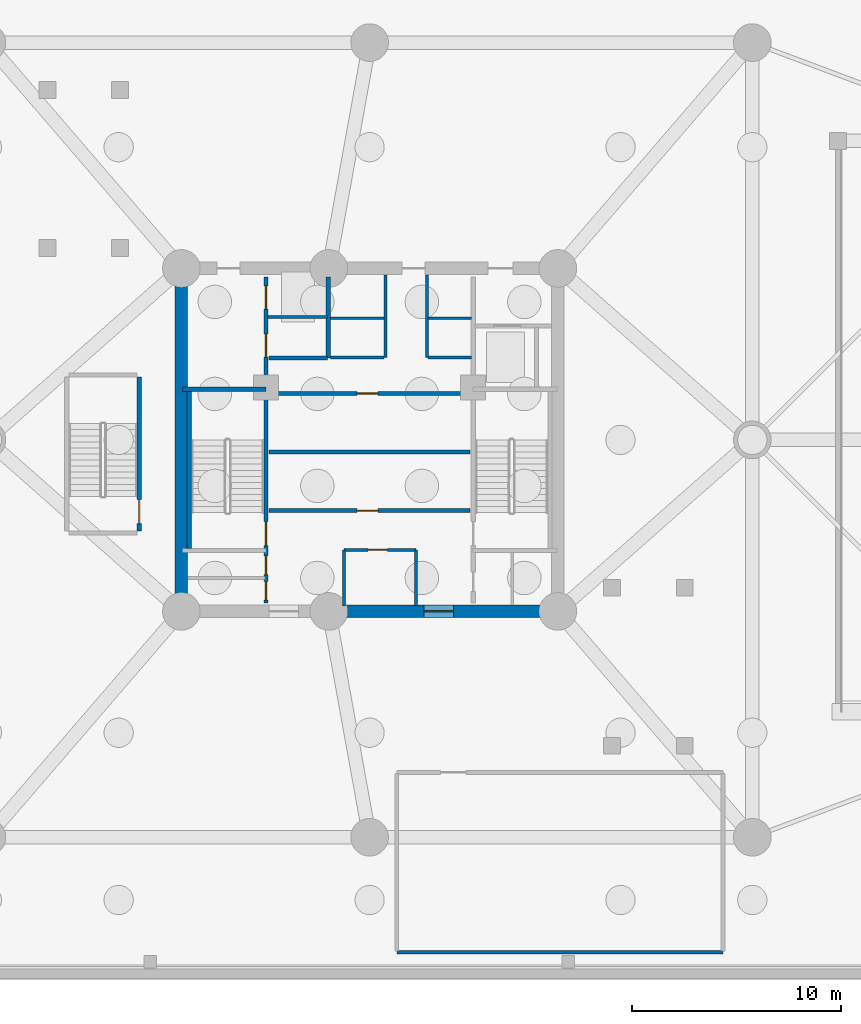
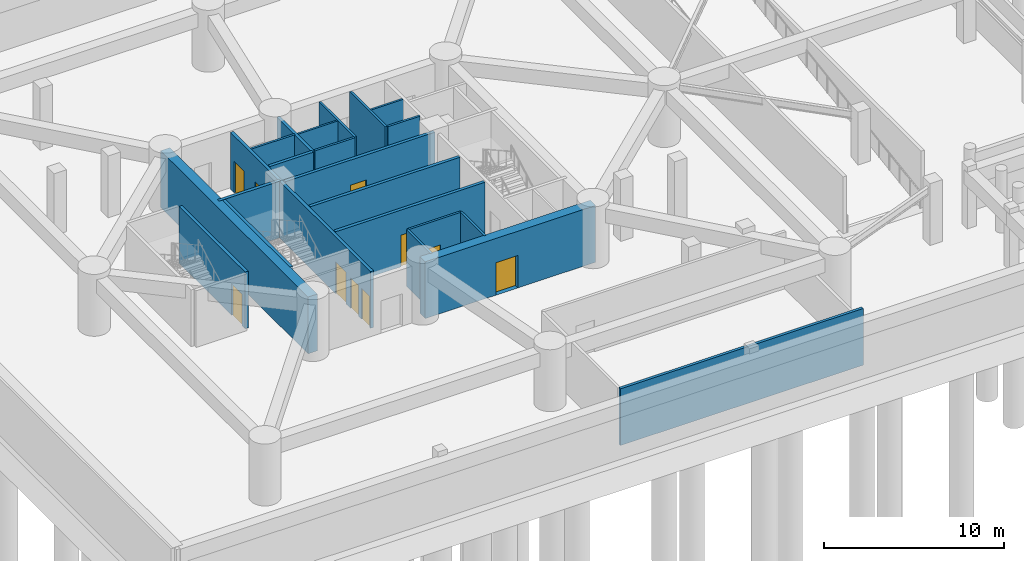
# One storey, part 4 of 13: 22 walls, 10 doors, 10 openings.
"""IFC4 building model written with IfcOpenShell, lengths in metres."""

from ifc_helpers import new_model, si_unit, direction, frame, frame_2d, origin, origin_with_axes, place, context, subcontext, project, spatial, rectangle, extrude, source, transform, mapped, material, layer, layer_set, type_object, element, fill, save


model = new_model("IFC4")

# Units and contexts
model_context = context("Model", 3, precision=1e-05, world=origin(), true_north=direction((0.0, 1.0)))
body_context = subcontext(model_context, "Body", "Model", "MODEL_VIEW")
ifc_project = project(units=[si_unit("LENGTHUNIT", "METRE"), si_unit("AREAUNIT", "SQUARE_METRE"), si_unit("VOLUMEUNIT", "CUBIC_METRE"), si_unit("PLANEANGLEUNIT", "RADIAN"), si_unit("MASSUNIT", "GRAM", prefix="KILO")], contexts=[model_context])

# Site, building, storey
site_placement = place(None, origin())
site = spatial("IfcSite", under=ifc_project, at=site_placement, CompositionType="ELEMENT")
building_placement = place(site_placement, origin())
building = spatial("IfcBuilding", under=site, at=building_placement, Name="Karkom Vertical University and Central Library", CompositionType="ELEMENT")
storey_placement = place(building_placement, frame((0.0, 0.0, -8.39990234375)))
storey = spatial("IfcBuildingStorey", under=building, at=storey_placement, Name="B02", CompositionType="ELEMENT", Elevation=-8.39990234375)

# Walls
ifc_material_1 = material(Name="Moisture-resistant drywall 120mm", Category="gypsum")
ifc_layer_1 = layer(ifc_material_1, 0.1201171875)
ifc_layer_set_1 = layer_set([ifc_layer_1], Name="Moisture-resistant drywall 120mm")
wall_type_1 = type_object("IfcWallType", Name="INT-WL-INT-120H", PredefinedType="PARTITIONING", material=ifc_layer_set_1)
wall_1_placement = place(storey_placement, frame((26.6201171875, 32.320068359375, 0.0), z_axis=(0.0, 0.0, 1.0), x_axis=(1.0, 0.0, 0.0)))
element("IfcWall", 1, at=wall_1_placement, inside=storey, type_object=wall_type_1, Name="Basement 02 Interior Partition Wall B02-CW-PH-MW", PredefinedType="PARTITIONING", context=body_context, shape_type="SweptSolid", body=[
    extrude(rectangle(XDim=2.579833984375, YDim=0.1201171875, at=frame_2d((1.2900390625, 0.0))), origin(), (0.0, 0.0, 1.0), 3.849853515625),
])
wall_2_placement = place(storey_placement, frame((31.300048828125, 32.320068359375, 0.0), z_axis=(0.0, 0.0, 1.0), x_axis=(1.0, 0.0, 0.0)))
element("IfcWall", 2, at=wall_2_placement, inside=storey, type_object=wall_type_1, Name="Basement 02 Interior Partition Wall B02-CW-PH-ME", PredefinedType="PARTITIONING", context=body_context, shape_type="SweptSolid", body=[
    extrude(rectangle(XDim=2.074951171875, YDim=0.1201171875, at=frame_2d((1.03759765625, 0.0))), origin(), (0.0, 0.0, 1.0), 3.849853515625),
])

# Wall, opening, door
ifc_material_2 = material(Name="Metal-stud gypsum partition 140mm", Category="gypsum")
ifc_layer_2 = layer(ifc_material_2, 0.139892578125)
ifc_layer_set_2 = layer_set([ifc_layer_2], Name="Metal-stud gypsum partition 140mm")
wall_type_2 = type_object("IfcWallType", Name="INT-WL-SUB-140", PredefinedType="PARTITIONING", material=ifc_layer_set_2)
wall_3_placement = place(storey_placement, frame((27.280029296875, 21.239990234375, 0.0), z_axis=(0.0, 0.0, 1.0), x_axis=(1.0, 0.0, 0.0)))
wall_3 = element("IfcWall", 3, at=wall_3_placement, inside=storey, type_object=wall_type_2, Name="Basement 02 Interior Partition Wall B02-CW-KBAY-N", PredefinedType="PARTITIONING", context=body_context, shape_type="SweptSolid", body=[
    extrude(rectangle(XDim=3.43994140625, YDim=0.139892578125, at=frame_2d((1.719970703125, 0.0))), origin(), (0.0, 0.0, 1.0), 3.849853515625),
])
opening_1_placement = place(wall_3_placement, frame((1.14990234375, 0.0, 0.0)))
opening_1 = element("IfcOpeningElement", 4, at=opening_1_placement, cuts=wall_3, Name="Opening D-SVC1", PredefinedType="OPENING", context=body_context, shape_type="SweptSolid", body=[
    extrude(rectangle(XDim=0.919921875, YDim=2.10009765625, at=frame_2d((0.4599609375, 1.050048828125))), frame((0.0, 0.080078125, 0.0), z_axis=(0.0, -1.0, 0.0), x_axis=(1.0, 0.0, 0.0)), (0.0, 0.0, 1.0), 0.159912109375),
])
ifc_material_3 = material(Name="Painted timber service door", Category="wood")
door_type_1 = type_object("IfcDoorType", Name="INT-DR-SVC1", OperationType="NOTDEFINED", PredefinedType="DOOR", material=ifc_material_3)
shared_shape_1 = source(origin_with_axes(), body_context, "Body", "SweptSolid", [
    extrude(rectangle(XDim=0.919921875, YDim=2.10009765625, at=frame_2d((0.4599609375, 1.050048828125))), frame((0.0, 0.02490234375, 0.0), z_axis=(0.0, -1.0, 0.0), x_axis=(1.0, 0.0, 0.0)), (0.0, 0.0, 1.0), 0.050048828125),
])
door_1_placement = place(opening_1_placement, origin())
door_1 = element("IfcDoor", 5, at=door_1_placement, inside=storey, type_object=door_type_1, Name="Basement 02 Comms Room Door", OperationType="SINGLE_SWING_LEFT", OverallHeight=2.10009765625, OverallWidth=0.919921875, PredefinedType="DOOR", context=body_context, shape_type="MappedRepresentation", body=[
    mapped(shared_shape_1, transform((0.0, 0.0, 0.0), scale=1.0)),
])
fill(opening_1, door_1)

# Walls
for number, where, z_axis, x_axis, name in (
    (6, (27.280029296875, 18.550048828125, 0.0), (0.0, 0.0, 1.0), (0.0, 1.0, 0.0), "Basement 02 Interior Partition Wall B02-CW-KBAY-W"),
    (7, (30.719970703125, 18.550048828125, 0.0), (0.0, 0.0, 1.0), (0.0, 1.0, 0.0), "Basement 02 Interior Partition Wall B02-CW-KBAY-E"),
):
    element("IfcWall", number, at=place(storey_placement, frame(where, z_axis=z_axis, x_axis=x_axis)), inside=storey, type_object=wall_type_2, Name=name, PredefinedType="PARTITIONING", context=body_context, shape_type="SweptSolid", body=[
        extrude(rectangle(XDim=2.68994140625, YDim=0.139892578125, at=frame_2d((1.344970703125, 0.0))), origin(), (0.0, 0.0, 1.0), 3.849853515625),
    ])
ifc_layer_3 = layer(ifc_material_2, 0.139892578125)
ifc_layer_set_3 = layer_set([ifc_layer_3], Name="Metal-stud gypsum partition 140mm")
wall_type_3 = type_object("IfcWallType", Name="INT-WL-SUB-140H", PredefinedType="PARTITIONING", material=ifc_layer_set_3)
for number, where, z_axis, x_axis, name in (
    (8, (29.260009765625, 30.449951171875, 0.0), (0.0, 0.0, 1.0), (0.0, 1.0, 0.0), "Basement 02 Interior Partition Wall B02-CW-PH-W"),
    (9, (31.239990234375, 30.449951171875, 0.0), (0.0, 0.0, 1.0), (0.0, 1.0, 0.0), "Basement 02 Interior Partition Wall B02-CW-PH-E"),
):
    element("IfcWall", number, at=place(storey_placement, frame(where, z_axis=z_axis, x_axis=x_axis)), inside=storey, type_object=wall_type_3, Name=name, PredefinedType="PARTITIONING", context=body_context, shape_type="SweptSolid", body=[
        extrude(rectangle(XDim=3.943115234375, YDim=0.139892578125, at=frame_2d((1.9716796875, 0.0))), origin(), (0.0, 0.0, 1.0), 3.849853515625),
    ])
wall_4_placement = place(storey_placement, frame((26.6201171875, 30.449951171875, 0.0), z_axis=(0.0, 0.0, 1.0), x_axis=(1.0, 0.0, 0.0)))
element("IfcWall", 10, at=wall_4_placement, inside=storey, type_object=wall_type_3, Name="Basement 02 Interior Partition Wall B02-CW-PH-S1", PredefinedType="PARTITIONING", context=body_context, shape_type="SweptSolid", body=[
    extrude(rectangle(XDim=2.579833984375, YDim=0.139892578125, at=frame_2d((1.2900390625, 0.0))), origin(), (0.0, 0.0, 1.0), 3.849853515625),
])
wall_5_placement = place(storey_placement, frame((31.300048828125, 30.449951171875, 0.0), z_axis=(0.0, 0.0, 1.0), x_axis=(1.0, 0.0, 0.0)))
element("IfcWall", 11, at=wall_5_placement, inside=storey, type_object=wall_type_3, Name="Basement 02 Interior Partition Wall B02-CW-PH-S2", PredefinedType="PARTITIONING", context=body_context, shape_type="SweptSolid", body=[
    extrude(rectangle(XDim=2.074951171875, YDim=0.139892578125, at=frame_2d((1.03759765625, 0.0))), origin(), (0.0, 0.0, 1.0), 3.849853515625),
])
ifc_layer_4 = layer(ifc_material_2, 0.139892578125)
ifc_layer_set_4 = layer_set([ifc_layer_4], Name="Metal-stud gypsum partition 140mm")
wall_type_4 = type_object("IfcWallType", Name="INT-WL-SUB-140X", PredefinedType="PARTITIONING", material=ifc_layer_set_4)
wall_6_placement = place(storey_placement, frame((23.652099609375, 32.3701171875, 0.0), z_axis=(0.0, 0.0, 1.0), x_axis=(1.0, 0.0, 0.0)))
element("IfcWall", 12, at=wall_6_placement, inside=storey, type_object=wall_type_4, Name="Basement 02 Interior Partition Wall B02-CW-FFL-M", PredefinedType="PARTITIONING", context=body_context, shape_type="SweptSolid", body=[
    extrude(rectangle(XDim=2.827880859375, YDim=0.139892578125, at=frame_2d((1.4140625, 0.0))), origin(), (0.0, 0.0, 1.0), 3.849853515625),
])
ifc_material_4 = material(Name="Twin-stud acoustic drywall 180mm", Category="gypsum")
ifc_layer_5 = layer(ifc_material_4, 0.179931640625)
ifc_layer_set_5 = layer_set([ifc_layer_5], Name="Twin-stud acoustic drywall 180mm")
wall_type_5 = type_object("IfcWallType", Name="INT-WL-TEN-180F", PredefinedType="PARTITIONING", material=ifc_layer_set_5)
wall_7_placement = place(storey_placement, frame((29.800048828125, 2.0, 0.0), z_axis=(0.0, 0.0, 1.0), x_axis=(1.0, 0.0, 0.0)))
element("IfcWall", 13, at=wall_7_placement, inside=storey, type_object=wall_type_5, Name="Basement 02 Interior Partition Wall B02-PW-PLTW-S", PredefinedType="PARTITIONING", context=body_context, shape_type="SweptSolid", body=[
    extrude(rectangle(XDim=15.599853515625, YDim=0.179931640625, at=frame_2d((7.7998046875, 0.0))), origin(), (0.0, 0.0, 1.0), 3.849853515625),
])

# Wall, opening, door
ifc_material_5 = material(Name="Concrete C50/60", Category="concrete")
ifc_layer_6 = layer(ifc_material_5, 0.60009765625)
ifc_layer_set_6 = layer_set([ifc_layer_6], Name="Concrete C50/60")
wall_type_6 = type_object("IfcWallType", Name="STR-WL-CW-600", PredefinedType="SHEAR", material=ifc_layer_set_6)
wall_8_placement = place(storey_placement, frame((26.550048828125, 18.300048828125, 0.0), z_axis=(0.0, 0.0, 1.0), x_axis=(1.0, 0.0, 0.0)))
wall_8 = element("IfcWall", 14, at=wall_8_placement, inside=storey, type_object=wall_type_6, Name="Basement 02 Central Core Shear Wall SW2", PredefinedType="SHEAR", context=body_context, shape_type="SweptSolid", body=[
    extrude(rectangle(XDim=10.949951171875, YDim=0.60009765625, at=frame_2d((5.47509765625, 0.0))), origin(), (0.0, 0.0, 1.0), 3.849853515625),
])
opening_2_placement = place(wall_8_placement, frame((4.550048828125, 0.0, 0.0)))
opening_2 = element("IfcOpeningElement", 15, at=opening_2_placement, cuts=wall_8, Name="Opening FD-CLB", PredefinedType="OPENING", context=body_context, shape_type="SweptSolid", body=[
    extrude(rectangle(XDim=1.39990234375, YDim=2.199951171875, at=frame_2d((0.699951171875, 1.10009765625))), frame((0.0, 0.31005859375, 0.0), z_axis=(0.0, -1.0, 0.0), x_axis=(1.0, 0.0, 0.0)), (0.0, 0.0, 1.0), 0.6201171875),
])
ifc_material_6 = material(Name="Painted steel fire door", Category="steel")
door_type_2 = type_object("IfcDoorType", Name="INT-DR-CLB", OperationType="DOUBLE_DOOR_SINGLE_SWING", PredefinedType="DOOR", material=ifc_material_6)
shared_shape_2 = source(origin_with_axes(), body_context, "Body", "SweptSolid", [
    extrude(rectangle(XDim=1.39990234375, YDim=2.199951171875, at=frame_2d((0.699951171875, 1.10009765625))), frame((0.0, 0.02490234375, 0.0), z_axis=(0.0, -1.0, 0.0), x_axis=(1.0, 0.0, 0.0)), (0.0, 0.0, 1.0), 0.050048828125),
])
door_2_placement = place(opening_2_placement, origin())
door_2 = element("IfcDoor", 16, at=door_2_placement, inside=storey, type_object=door_type_2, Name="Basement 02 South Core Lobby East Exit Door", OperationType="DOUBLE_DOOR_SINGLE_SWING", OverallHeight=2.199951171875, OverallWidth=1.39990234375, PredefinedType="DOOR", context=body_context, shape_type="MappedRepresentation", body=[
    mapped(shared_shape_2, transform((0.0, 0.0, 0.0), scale=1.0)),
])
fill(opening_2, door_2)

# Wall
wall_9_placement = place(storey_placement, frame((19.5, 34.699951171875, 0.0), z_axis=(0.0, 0.0, 1.0), x_axis=(0.0, -1.0, 0.0)))
element("IfcWall", 17, at=wall_9_placement, inside=storey, type_object=wall_type_6, Name="Basement 02 Central Core Shear Wall WW", PredefinedType="SHEAR", context=body_context, shape_type="SweptSolid", body=[
    extrude(rectangle(XDim=16.39990234375, YDim=0.60009765625, at=frame_2d((8.199951171875, 0.0))), origin(), (0.0, 0.0, 1.0), 3.849853515625),
])

# Wall, openings, doors
ifc_material_7 = material(Name="Concrete C45/55", Category="concrete")
ifc_layer_7 = layer(ifc_material_7, 0.199951171875)
ifc_layer_set_7 = layer_set([ifc_layer_7], Name="Concrete C45/55")
wall_type_7 = type_object("IfcWallType", Name="STR-WL-ST-200", PredefinedType="SHEAR", material=ifc_layer_set_7)
wall_10_placement = place(storey_placement, frame((23.544921875, 18.699951171875, 0.0), z_axis=(0.0, 0.0, 1.0), x_axis=(0.0, 1.0, 0.0)))
wall_10 = element("IfcWall", 18, at=wall_10_placement, inside=storey, type_object=wall_type_7, Name="Basement 02 Core Shaft Wall B02-CW-ST1-E", PredefinedType="SHEAR", context=body_context, shape_type="SweptSolid", body=[
    extrude(rectangle(XDim=15.60009765625, YDim=0.199951171875, at=frame_2d((7.800048828125, 0.0))), origin(), (0.0, 0.0, 1.0), 3.849853515625),
])
opening_3_placement = place(wall_10_placement, frame((2.75, 0.0, 0.0)))
opening_3 = element("IfcOpeningElement", 19, at=opening_3_placement, cuts=wall_10, Name="Opening FD-ST1", PredefinedType="OPENING", context=body_context, shape_type="SweptSolid", body=[
    extrude(rectangle(XDim=1.14990234375, YDim=2.14990234375, at=frame_2d((0.574951171875, 1.074951171875))), frame((0.0, 0.10986328125, 0.0), z_axis=(0.0, -1.0, 0.0), x_axis=(1.0, 0.0, 0.0)), (0.0, 0.0, 1.0), 0.219970703125),
])
opening_4_placement = place(wall_10_placement, frame((11.760009765625, 0.0, 0.0)))
opening_4 = element("IfcOpeningElement", 20, at=opening_4_placement, cuts=wall_10, Name="Opening FD-FFL", PredefinedType="OPENING", context=body_context, shape_type="SweptSolid", body=[
    extrude(rectangle(XDim=1.10009765625, YDim=2.14990234375, at=frame_2d((0.550048828125, 1.074951171875))), frame((0.0, 0.10986328125, 0.0), z_axis=(0.0, -1.0, 0.0), x_axis=(1.0, 0.0, 0.0)), (0.0, 0.0, 1.0), 0.219970703125),
])
opening_5_placement = place(wall_10_placement, frame((0.139892578125, 0.0, 0.0)))
opening_5 = element("IfcOpeningElement", 21, at=opening_5_placement, cuts=wall_10, Name="Opening FD-RIS", PredefinedType="OPENING", context=body_context, shape_type="SweptSolid", body=[
    extrude(rectangle(XDim=0.8798828125, YDim=2.10009765625, at=frame_2d((0.43994140625, 1.050048828125))), frame((0.0, 0.10986328125, 0.0), z_axis=(0.0, -1.0, 0.0), x_axis=(1.0, 0.0, 0.0)), (0.0, 0.0, 1.0), 0.219970703125),
])
opening_6_placement = place(wall_10_placement, frame((1.360107421875, 0.0, 0.0)))
opening_6 = element("IfcOpeningElement", 22, at=opening_6_placement, cuts=wall_10, Name="Opening FD-RIS", PredefinedType="OPENING", context=body_context, shape_type="SweptSolid", body=[
    extrude(rectangle(XDim=0.8798828125, YDim=2.10009765625, at=frame_2d((0.43994140625, 1.050048828125))), frame((0.0, 0.10986328125, 0.0), z_axis=(0.0, -1.0, 0.0), x_axis=(1.0, 0.0, 0.0)), (0.0, 0.0, 1.0), 0.219970703125),
])
opening_7_placement = place(wall_10_placement, frame((14.050048828125, 0.0, 0.0)))
opening_7 = element("IfcOpeningElement", 23, at=opening_7_placement, cuts=wall_10, Name="Opening LD-FFL", PredefinedType="OPENING", context=body_context, shape_type="SweptSolid", body=[
    extrude(rectangle(XDim=1.1201171875, YDim=2.14990234375, at=frame_2d((0.56005859375, 1.074951171875))), frame((0.0, 0.10986328125, 0.0), z_axis=(0.0, -1.0, 0.0), x_axis=(1.0, 0.0, 0.0)), (0.0, 0.0, 1.0), 0.219970703125),
])
ifc_material_8 = material(Name="Painted steel acoustic fire door", Category="steel")
door_type_3 = type_object("IfcDoorType", Name="INT-DR-ST1", OperationType="NOTDEFINED", PredefinedType="DOOR", material=ifc_material_8)
shared_shape_3 = source(origin_with_axes(), body_context, "Body", "SweptSolid", [
    extrude(rectangle(XDim=1.14990234375, YDim=2.14990234375, at=frame_2d((0.574951171875, 1.074951171875))), frame((0.0, 0.02490234375, 0.0), z_axis=(0.0, -1.0, 0.0), x_axis=(1.0, 0.0, 0.0)), (0.0, 0.0, 1.0), 0.050048828125),
])
door_3_placement = place(opening_3_placement, origin())
door_3 = element("IfcDoor", 24, at=door_3_placement, inside=storey, type_object=door_type_3, Name="Basement 02 Stair ST-1 Fire Door", OperationType="SINGLE_SWING_LEFT", OverallHeight=2.14990234375, OverallWidth=1.14990234375, PredefinedType="DOOR", context=body_context, shape_type="MappedRepresentation", body=[
    mapped(shared_shape_3, transform((0.0, 0.0, 0.0), scale=1.0)),
])
fill(opening_3, door_3)
ifc_material_9 = material(Name="Painted steel smoke-seal fire door", Category="steel")
door_type_4 = type_object("IfcDoorType", Name="INT-DR-FFL", OperationType="NOTDEFINED", PredefinedType="DOOR", material=ifc_material_9)
shared_shape_4 = source(origin_with_axes(), body_context, "Body", "SweptSolid", [
    extrude(rectangle(XDim=1.10009765625, YDim=2.14990234375, at=frame_2d((0.550048828125, 1.074951171875))), frame((0.0, 0.02490234375, 0.0), z_axis=(0.0, -1.0, 0.0), x_axis=(1.0, 0.0, 0.0)), (0.0, 0.0, 1.0), 0.050048828125),
])
door_4_placement = place(opening_4_placement, origin())
door_4 = element("IfcDoor", 25, at=door_4_placement, inside=storey, type_object=door_type_4, Name="Basement 02 Firefighting Lobby Core Exit Door", OperationType="SINGLE_SWING_RIGHT", OverallHeight=2.14990234375, OverallWidth=1.10009765625, PredefinedType="DOOR", context=body_context, shape_type="MappedRepresentation", body=[
    mapped(shared_shape_4, transform((0.0, 0.0, 0.0), scale=1.0)),
])
fill(opening_4, door_4)
ifc_material_10 = material(Name="Painted steel riser access door", Category="steel")
door_type_5 = type_object("IfcDoorType", Name="INT-DR-RIS", OperationType="NOTDEFINED", PredefinedType="DOOR", material=ifc_material_10)
shared_shape_5 = source(origin_with_axes(), body_context, "Body", "SweptSolid", [
    extrude(rectangle(XDim=0.8798828125, YDim=2.10009765625, at=frame_2d((0.43994140625, 1.050048828125))), frame((0.0, 0.02490234375, 0.0), z_axis=(0.0, -1.0, 0.0), x_axis=(1.0, 0.0, 0.0)), (0.0, 0.0, 1.0), 0.050048828125),
])
door_5_placement = place(opening_5_placement, origin())
door_5 = element("IfcDoor", 26, at=door_5_placement, inside=storey, type_object=door_type_5, Name="Basement 02 Electrical Riser Access Door", OperationType="SINGLE_SWING_RIGHT", OverallHeight=2.10009765625, OverallWidth=0.8798828125, PredefinedType="DOOR", context=body_context, shape_type="MappedRepresentation", body=[
    mapped(shared_shape_5, transform((0.0, 0.0, 0.0), scale=1.0)),
])
fill(opening_5, door_5)
door_6_placement = place(opening_6_placement, origin())
door_6 = element("IfcDoor", 27, at=door_6_placement, inside=storey, type_object=door_type_5, Name="Basement 02 Telecom Riser Access Door", OperationType="SINGLE_SWING_LEFT", OverallHeight=2.10009765625, OverallWidth=0.8798828125, PredefinedType="DOOR", context=body_context, shape_type="MappedRepresentation", body=[
    mapped(shared_shape_5, transform((0.0, 0.0, 0.0), scale=1.0)),
])
fill(opening_6, door_6)
ifc_material_11 = material(Name="Fire-rated stainless-steel landing door", Category="steel")
door_type_6 = type_object("IfcDoorType", Name="INT-DR-LD-FFL", OperationType="SLIDING_TO_LEFT", PredefinedType="DOOR", material=ifc_material_11)
shared_shape_6 = source(origin_with_axes(), body_context, "Body", "SweptSolid", [
    extrude(rectangle(XDim=1.1201171875, YDim=2.14990234375, at=frame_2d((0.56005859375, 1.074951171875))), frame((0.0, 0.02490234375, 0.0), z_axis=(0.0, -1.0, 0.0), x_axis=(1.0, 0.0, 0.0)), (0.0, 0.0, 1.0), 0.050048828125),
])
door_7_placement = place(opening_7_placement, origin())
door_7 = element("IfcDoor", 28, at=door_7_placement, inside=storey, type_object=door_type_6, Name="Basement 02 Firefighting Lift FFL-2 Landing Door", OperationType="SLIDING_TO_RIGHT", OverallHeight=2.14990234375, OverallWidth=1.1201171875, PredefinedType="DOOR", context=body_context, shape_type="MappedRepresentation", body=[
    mapped(shared_shape_6, transform((0.0, 0.0, 0.0), scale=1.0)),
])
fill(opening_7, door_7)

# Wall, opening, door
wall_11_placement = place(storey_placement, frame((23.699951171875, 23.1201171875, 0.0), z_axis=(0.0, 0.0, 1.0), x_axis=(1.0, 0.0, 0.0)))
wall_11 = element("IfcWall", 29, at=wall_11_placement, inside=storey, type_object=wall_type_7, Name="Basement 02 Core Shaft Wall B02-CW-B1-S", PredefinedType="SHEAR", context=body_context, shape_type="SweptSolid", body=[
    extrude(rectangle(XDim=9.60009765625, YDim=0.199951171875, at=frame_2d((4.800048828125, 0.0))), origin(), (0.0, 0.0, 1.0), 3.849853515625),
])
opening_8_placement = place(wall_11_placement, frame((4.199951171875, 0.0, 0.0)))
opening_8 = element("IfcOpeningElement", 30, at=opening_8_placement, cuts=wall_11, Name="Opening D-STR1", PredefinedType="OPENING", context=body_context, shape_type="SweptSolid", body=[
    extrude(rectangle(XDim=1.0, YDim=2.14990234375, at=frame_2d((0.5, 1.074951171875))), frame((0.0, 0.10986328125, 0.0), z_axis=(0.0, -1.0, 0.0), x_axis=(1.0, 0.0, 0.0)), (0.0, 0.0, 1.0), 0.219970703125),
])
ifc_material_12 = material(Name="Solid-core hardwood fire door", Category="wood")
door_type_7 = type_object("IfcDoorType", Name="INT-DR-STR1", OperationType="NOTDEFINED", PredefinedType="DOOR", material=ifc_material_12)
shared_shape_7 = source(origin_with_axes(), body_context, "Body", "SweptSolid", [
    extrude(rectangle(XDim=1.0, YDim=2.14990234375, at=frame_2d((0.5, 1.074951171875))), frame((0.0, 0.02490234375, 0.0), z_axis=(0.0, -1.0, 0.0), x_axis=(1.0, 0.0, 0.0)), (0.0, 0.0, 1.0), 0.050048828125),
])
door_8_placement = place(opening_8_placement, origin())
door_8 = element("IfcDoor", 31, at=door_8_placement, inside=storey, type_object=door_type_7, Name="Basement 02 Campus Digital Archive Store Door", OperationType="SINGLE_SWING_RIGHT", OverallHeight=2.14990234375, OverallWidth=1.0, PredefinedType="DOOR", context=body_context, shape_type="MappedRepresentation", body=[
    mapped(shared_shape_7, transform((0.0, 0.0, 0.0), scale=1.0)),
])
fill(opening_8, door_8)

# Wall
wall_12_placement = place(storey_placement, frame((23.699951171875, 25.919921875, 0.0), z_axis=(0.0, 0.0, 1.0), x_axis=(1.0, 0.0, 0.0)))
element("IfcWall", 32, at=wall_12_placement, inside=storey, type_object=wall_type_7, Name="Basement 02 Core Shaft Wall B02-CW-B1-N", PredefinedType="SHEAR", context=body_context, shape_type="SweptSolid", body=[
    extrude(rectangle(XDim=9.60009765625, YDim=0.199951171875, at=frame_2d((4.800048828125, 0.0))), origin(), (0.0, 0.0, 1.0), 3.849853515625),
])

# Wall, opening, door
wall_13_placement = place(storey_placement, frame((23.699951171875, 28.719970703125, 0.0), z_axis=(0.0, 0.0, 1.0), x_axis=(1.0, 0.0, 0.0)))
wall_13 = element("IfcWall", 33, at=wall_13_placement, inside=storey, type_object=wall_type_7, Name="Basement 02 Core Shaft Wall B02-CW-B2-N", PredefinedType="SHEAR", context=body_context, shape_type="SweptSolid", body=[
    extrude(rectangle(XDim=9.60009765625, YDim=0.199951171875, at=frame_2d((4.800048828125, 0.0))), origin(), (0.0, 0.0, 1.0), 3.849853515625),
])
opening_9_placement = place(wall_13_placement, frame((4.199951171875, 0.0, 0.0)))
opening_9 = element("IfcOpeningElement", 34, at=opening_9_placement, cuts=wall_13, Name="Opening D-STR1", PredefinedType="OPENING", context=body_context, shape_type="SweptSolid", body=[
    extrude(rectangle(XDim=1.0, YDim=2.14990234375, at=frame_2d((0.5, 1.074951171875))), frame((0.0, 0.10986328125, 0.0), z_axis=(0.0, -1.0, 0.0), x_axis=(1.0, 0.0, 0.0)), (0.0, 0.0, 1.0), 0.219970703125),
])
door_9_placement = place(opening_9_placement, origin())
door_9 = element("IfcDoor", 35, at=door_9_placement, inside=storey, type_object=door_type_7, Name="Basement 02 Fellows Supply Store Room Door", OperationType="SINGLE_SWING_LEFT", OverallHeight=2.14990234375, OverallWidth=1.0, PredefinedType="DOOR", context=body_context, shape_type="MappedRepresentation", body=[
    mapped(shared_shape_7, transform((0.0, 0.0, 0.0), scale=1.0)),
])
fill(opening_9, door_9)

# Wall
wall_14_placement = place(storey_placement, frame((19.875, 21.320068359375, 0.0), z_axis=(0.0, 0.0, 1.0), x_axis=(0.0, 1.0, 0.0)))
element("IfcWall", 36, at=wall_14_placement, inside=storey, type_object=wall_type_7, Name="Basement 02 Core Shaft Wall B02-CW-ST1-W", PredefinedType="SHEAR", context=body_context, shape_type="SweptSolid", body=[
    extrude(rectangle(XDim=7.5, YDim=0.199951171875, at=frame_2d((3.75, 0.0))), origin(), (0.0, 0.0, 1.0), 3.849853515625),
])

# Wall, opening, door
wall_15_placement = place(storey_placement, frame((17.485107421875, 22.14990234375, 0.0), z_axis=(0.0, 0.0, 1.0), x_axis=(0.0, 1.0, 0.0)))
wall_15 = element("IfcWall", 37, at=wall_15_placement, inside=storey, type_object=wall_type_7, Name="Basement 02 Core Shaft Wall B02-W-ST3-E", PredefinedType="SHEAR", context=body_context, shape_type="SweptSolid", body=[
    extrude(rectangle(XDim=7.35009765625, YDim=0.199951171875, at=frame_2d((3.675048828125, 0.0))), origin(), (0.0, 0.0, 1.0), 3.849853515625),
])
opening_10_placement = place(wall_15_placement, frame((0.35009765625, 0.0, 0.0)))
opening_10 = element("IfcOpeningElement", 38, at=opening_10_placement, cuts=wall_15, Name="Opening FD-ST1", PredefinedType="OPENING", context=body_context, shape_type="SweptSolid", body=[
    extrude(rectangle(XDim=1.14990234375, YDim=2.14990234375, at=frame_2d((0.574951171875, 1.074951171875))), frame((0.0, 0.10986328125, 0.0), z_axis=(0.0, -1.0, 0.0), x_axis=(1.0, 0.0, 0.0)), (0.0, 0.0, 1.0), 0.219970703125),
])
door_10_placement = place(opening_10_placement, origin())
door_10 = element("IfcDoor", 39, at=door_10_placement, inside=storey, type_object=door_type_3, Name="Basement 02 Stair ST-3 Fire Door", OperationType="SINGLE_SWING_LEFT", OverallHeight=2.14990234375, OverallWidth=1.14990234375, PredefinedType="DOOR", context=body_context, shape_type="MappedRepresentation", body=[
    mapped(shared_shape_3, transform((0.0, 0.0, 0.0), scale=1.0)),
])
fill(opening_10, door_10)

# Walls
wall_16_placement = place(storey_placement, frame((19.550048828125, 28.925048828125, 0.0), z_axis=(0.0, 0.0, 1.0), x_axis=(1.0, 0.0, 0.0)))
element("IfcWall", 40, at=wall_16_placement, inside=storey, type_object=wall_type_7, Name="Basement 02 Core Shaft Wall B02-CW-ST1-N", PredefinedType="SHEAR", context=body_context, shape_type="SweptSolid", body=[
    extrude(rectangle(XDim=3.994873046875, YDim=0.199951171875, at=frame_2d((1.99755859375, 0.0))), origin(), (0.0, 0.0, 1.0), 3.849853515625),
])
wall_17_placement = place(storey_placement, frame((26.52001953125, 30.419921875, 0.0), z_axis=(0.0, 0.0, 1.0), x_axis=(0.0, 1.0, 0.0)))
element("IfcWall", 41, at=wall_17_placement, inside=storey, type_object=wall_type_7, Name="Basement 02 Core Shaft Wall B02-CW-FFL-E", PredefinedType="SHEAR", context=body_context, shape_type="SweptSolid", body=[
    extrude(rectangle(XDim=3.860107421875, YDim=0.199951171875, at=frame_2d((1.93017578125, 0.0))), origin(), (0.0, 0.0, 1.0), 3.849853515625),
])
wall_18_placement = place(storey_placement, frame((23.699951171875, 30.419921875, 0.0), z_axis=(0.0, 0.0, 1.0), x_axis=(1.0, 0.0, 0.0)))
element("IfcWall", 42, at=wall_18_placement, inside=storey, type_object=wall_type_7, Name="Basement 02 Core Shaft Wall B02-CW-FFL-S", PredefinedType="SHEAR", context=body_context, shape_type="SweptSolid", body=[
    extrude(rectangle(XDim=2.780029296875, YDim=0.199951171875, at=frame_2d((1.39013671875, 0.0))), origin(), (0.0, 0.0, 1.0), 3.849853515625),
])

save(model, "model.ifc")
